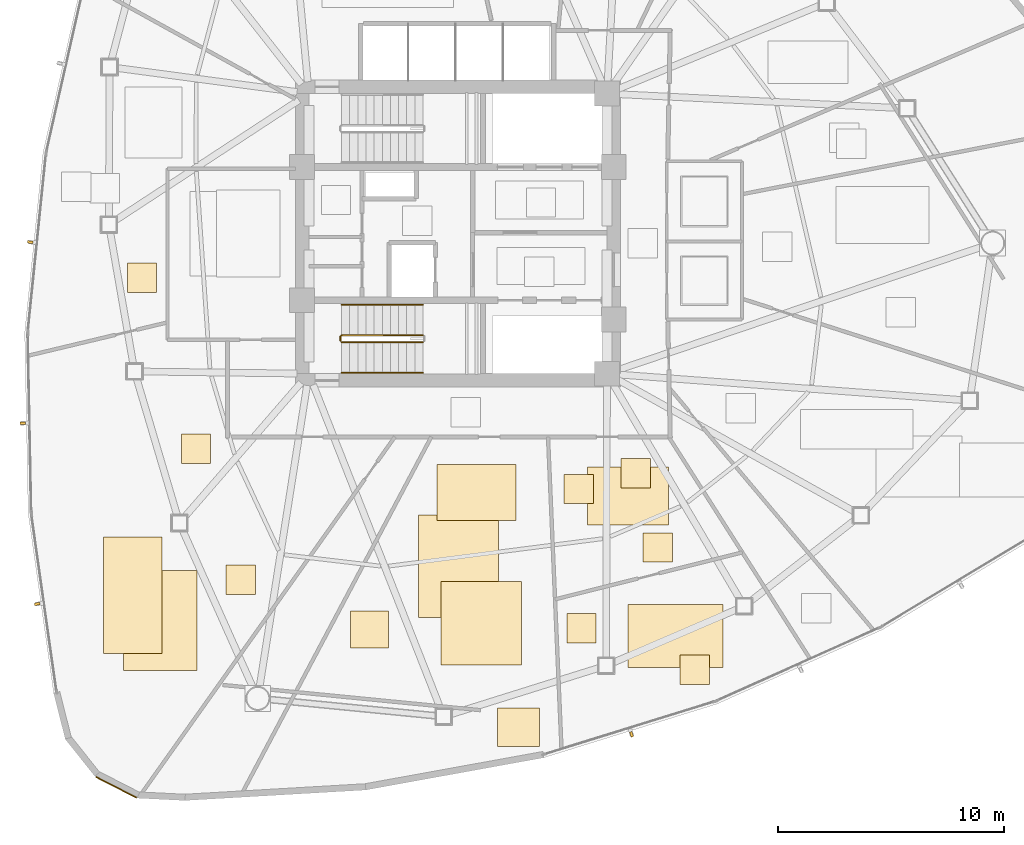
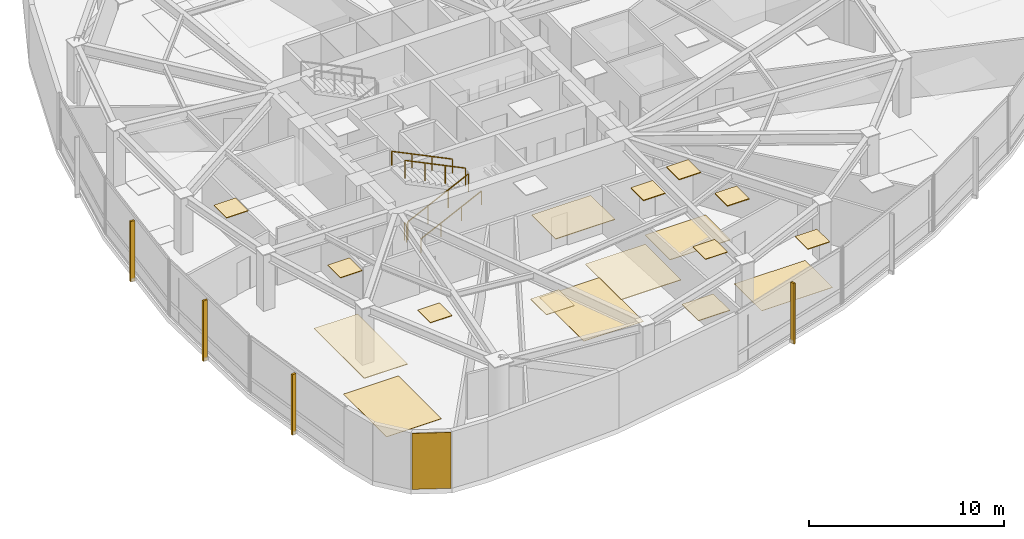
# One storey, part 14 of 17: 18 coverings, 5 railings, 4 shading devices.
"""IFC4 building model written with IfcOpenShell, lengths in metres."""

from ifc_helpers import new_model, si_unit, direction, frame, origin, origin_2d, place, context, subcontext, project, spatial, polyline, rectangle, outline, extrude, source, transform, mapped, material, layer, layer_set, type_object, type_shapes, element, save


model = new_model("IFC4")

# Units and contexts
model_context = context("Model", 3, precision=1e-05, world=origin(), true_north=direction((0.0, 1.0)))
body_context = subcontext(model_context, "Body", "Model", "MODEL_VIEW")
ifc_project = project(units=[si_unit("LENGTHUNIT", "METRE"), si_unit("AREAUNIT", "SQUARE_METRE"), si_unit("VOLUMEUNIT", "CUBIC_METRE"), si_unit("PLANEANGLEUNIT", "RADIAN"), si_unit("MASSUNIT", "GRAM", prefix="KILO")], contexts=[model_context])

# Site, building, storey
site_placement = place(None, origin())
site = spatial("IfcSite", under=ifc_project, at=site_placement, CompositionType="ELEMENT")
building_placement = place(site_placement, origin())
building = spatial("IfcBuilding", under=site, at=building_placement, Name="Tavelor Broadcast Tower", CompositionType="ELEMENT")
storey_placement = place(building_placement, frame((0.0, 0.0, 119.449951171875)))
storey = spatial("IfcBuildingStorey", under=building, at=storey_placement, Name="L27", CompositionType="ELEMENT", Elevation=119.449951171875)

# Covering
ifc_material_1 = material(Name="Copper-Bronze Anodized Aluminium", Category="aluminium")
ifc_layer_1 = layer(ifc_material_1, 0.050048828125)
ifc_layer_set_1 = layer_set([ifc_layer_1], Name="Copper-Bronze Anodized Aluminium")
covering_type_1 = type_object("IfcCoveringType", Name="Champagne-Bronze Corner Pier Metal Cladding 50 mm", PredefinedType="CLADDING", material=ifc_layer_set_1)
covering_1_placement = place(storey_placement, frame((34.866943359375, 20.486572265625, 0.02001953125), z_axis=(0.0, 0.0, 1.0), x_axis=(0.889814927768, -0.4563215909, 0.0)))
element("IfcCovering", 1, at=covering_1_placement, inside=storey, type_object=covering_type_1, Name="L27 Champagne-Bronze Corner Cladding 13", PredefinedType="CLADDING", context=body_context, shape_type="SweptSolid", body=[
    extrude(rectangle(XDim=2.00732421875, YDim=0.050048828125, at=origin_2d()), origin(), (0.0, 0.0, 1.0), 3.510009765625),
])

# Railings
ifc_material_2 = material(Name="Steel S355", Category="steel")
railing_type_1 = type_object("IfcRailingType", Name="Continuous Brushed Stainless Handrail 900 mm", PredefinedType="HANDRAIL", material=ifc_material_2)
railing_1_placement = place(storey_placement, frame((44.85009765625, 38.85009765625, 0.175048828125)))
element("IfcRailing", 2, at=railing_1_placement, inside=storey, type_object=railing_type_1, Name="L27 ST2 stair handrail 1", PredefinedType="HANDRAIL", context=body_context, shape_type="SweptSolid", body=[
    extrude(rectangle(XDim=0.048095703125, YDim=0.048095703125, at=origin_2d()), frame((0.0, 0.0, 0.8759765625), z_axis=(0.899360859046, 0.0, 0.437207096483), x_axis=(0.0, 1.0, 0.0)), (0.0, 0.0, 1.0), 4.002685546875),
    extrude(rectangle(XDim=0.0419921875, YDim=0.0419921875, at=origin_2d()), origin(), (0.0, 0.0, 1.0), 0.851806640625),
    extrude(rectangle(XDim=0.0419921875, YDim=0.0419921875, at=origin_2d()), frame((1.199951171875, 0.0, 0.583251953125)), (0.0, 0.0, 1.0), 0.851806640625),
    extrude(rectangle(XDim=0.0419921875, YDim=0.0419921875, at=origin_2d()), frame((2.39990234375, 0.0, 1.166748046875)), (0.0, 0.0, 1.0), 0.851806640625),
    extrude(rectangle(XDim=0.0419921875, YDim=0.0419921875, at=origin_2d()), frame((3.599853515625, 0.0, 1.75)), (0.0, 0.0, 1.0), 0.851806640625),
])
railing_2_placement = place(storey_placement, frame((48.449951171875, 41.85009765625, 2.10009765625)))
element("IfcRailing", 3, at=railing_2_placement, inside=storey, type_object=railing_type_1, Name="L27 ST2 stair handrail 2", PredefinedType="HANDRAIL", context=body_context, shape_type="SweptSolid", body=[
    extrude(rectangle(XDim=0.048095703125, YDim=0.048095703125, at=origin_2d()), frame((0.0, 0.0, 0.8759765625), z_axis=(-0.899360859046, 0.0, 0.437207096483), x_axis=(0.0, -1.0, 0.0)), (0.0, 0.0, 1.0), 4.002685546875),
    extrude(rectangle(XDim=0.0419921875, YDim=0.0419921875, at=origin_2d()), origin(), (0.0, 0.0, 1.0), 0.851806640625),
    extrude(rectangle(XDim=0.0419921875, YDim=0.0419921875, at=origin_2d()), frame((-1.199951171875, 0.0, 0.583251953125)), (0.0, 0.0, 1.0), 0.851806640625),
    extrude(rectangle(XDim=0.0419921875, YDim=0.0419921875, at=origin_2d()), frame((-2.39990234375, 0.0, 1.166748046875)), (0.0, 0.0, 1.0), 0.851806640625),
    extrude(rectangle(XDim=0.0419921875, YDim=0.0419921875, at=origin_2d()), frame((-3.599853515625, 0.0, 1.75)), (0.0, 0.0, 1.0), 0.851806640625),
])

# Coverings
ifc_material_3 = material(Name="Acoustic Nylon Carpet Tile")
ifc_layer_2 = layer(ifc_material_3, 0.02001953125)
ifc_layer_set_2 = layer_set([ifc_layer_2], Name="Acoustic Nylon Carpet Tile")
covering_type_2 = type_object("IfcCoveringType", Name="Heavy-Duty Acoustic Broadcast Carpet Tile 20 mm", PredefinedType="FLOORING", material=ifc_layer_set_2)
covering_2_placement = place(storey_placement, origin())
element("IfcCovering", 4, at=covering_2_placement, inside=storey, type_object=covering_type_2, Name="L27 Broadcast Floor Finish 0373", PredefinedType="FLOORING", context=body_context, shape_type="SweptSolid", body=[
    extrude(outline(polyline([(57.528564453125, 25.786865234375), (61.72998046875, 25.786865234375), (61.72998046875, 28.589111328125), (57.528564453125, 28.589111328125), (57.528564453125, 25.786865234375)])), origin(), (0.0, 0.0, 1.0), 0.02001953125),
])
covering_3_placement = place(storey_placement, origin())
element("IfcCovering", 5, at=covering_3_placement, inside=storey, type_object=covering_type_2, Name="L27 Broadcast Floor Finish 0374", PredefinedType="FLOORING", context=body_context, shape_type="SweptSolid", body=[
    extrude(outline(polyline([(48.252685546875, 28.010009765625), (51.806396484375, 28.010009765625), (51.806396484375, 32.543212890625), (48.252685546875, 32.543212890625), (48.252685546875, 28.010009765625)])), origin(), (0.0, 0.0, 1.0), 0.02001953125),
])
covering_4_placement = place(storey_placement, origin())
element("IfcCovering", 6, at=covering_4_placement, inside=storey, type_object=covering_type_2, Name="L27 Broadcast Floor Finish 0375", PredefinedType="FLOORING", context=body_context, shape_type="SweptSolid", body=[
    extrude(outline(polyline([(35.19189453125, 25.653076171875), (38.45361328125, 25.653076171875), (38.45361328125, 30.081298828125), (35.19189453125, 30.081298828125), (35.19189453125, 25.653076171875)])), origin(), (0.0, 0.0, 1.0), 0.02001953125),
])
ifc_material_4 = material(Name="Acoustic Hardwood Studio Flooring", Category="wood")
ifc_layer_3 = layer(ifc_material_4, 0.034912109375)
ifc_layer_set_3 = layer_set([ifc_layer_3], Name="Acoustic Hardwood Studio Flooring")
covering_type_3 = type_object("IfcCoveringType", Name="Isolated Studio Acoustic Elastomeric Floor Finish 35 mm", PredefinedType="FLOORING", material=ifc_layer_set_3)
covering_5_placement = place(storey_placement, origin())
element("IfcCovering", 7, at=covering_5_placement, inside=storey, type_object=covering_type_3, Name="L27 Broadcast Floor Finish 0382", PredefinedType="FLOORING", context=body_context, shape_type="SweptSolid", body=[
    extrude(outline(polyline([(55.7294921875, 32.09619140625), (59.316650390625, 32.09619140625), (59.316650390625, 34.664306640625), (55.7294921875, 34.664306640625), (55.7294921875, 32.09619140625)])), origin(), (0.0, 0.0, 1.0), 0.03515625),
])
ifc_material_5 = material(Name="Acoustic Perforated Timber Baffle", Category="wood")
ifc_layer_4 = layer(ifc_material_5, 0.054931640625)
ifc_layer_set_4 = layer_set([ifc_layer_4], Name="Acoustic Perforated Timber Baffle")
covering_type_4 = type_object("IfcCoveringType", Name="Micro-Perforated Acoustic Baffle Studio Ceiling 55 mm", PredefinedType="CEILING", material=ifc_layer_set_4)
covering_6_placement = place(storey_placement, frame((0.0, 0.0, 3.4951171875)))
element("IfcCovering", 8, at=covering_6_placement, inside=storey, type_object=covering_type_4, Name="L27 Suspended Acoustic Ceiling 1089", PredefinedType="CEILING", context=body_context, shape_type="SweptSolid", body=[
    extrude(outline(polyline([(54.7001953125, 33.04443359375), (56.000244140625, 33.04443359375), (56.000244140625, 34.344482421875), (54.7001953125, 34.344482421875), (54.7001953125, 33.04443359375)])), origin(), (0.0, 0.0, 1.0), 0.054931640625),
])
covering_7_placement = place(storey_placement, frame((0.0, 0.0, 3.4951171875)))
element("IfcCovering", 9, at=covering_7_placement, inside=storey, type_object=covering_type_4, Name="L27 Suspended Acoustic Ceiling 1090", PredefinedType="CEILING", context=body_context, shape_type="SweptSolid", body=[
    extrude(outline(polyline([(57.224609375, 33.74560546875), (58.5244140625, 33.74560546875), (58.5244140625, 35.045654296875), (57.224609375, 35.045654296875), (57.224609375, 33.74560546875)])), origin(), (0.0, 0.0, 1.0), 0.054931640625),
])
covering_8_placement = place(storey_placement, frame((0.0, 0.0, 3.4951171875)))
element("IfcCovering", 10, at=covering_8_placement, inside=storey, type_object=covering_type_4, Name="L27 Suspended Acoustic Ceiling 1091", PredefinedType="CEILING", context=body_context, shape_type="SweptSolid", body=[
    extrude(outline(polyline([(58.189697265625, 30.453857421875), (59.489501953125, 30.453857421875), (59.489501953125, 31.75390625), (58.189697265625, 31.75390625), (58.189697265625, 30.453857421875)])), origin(), (0.0, 0.0, 1.0), 0.054931640625),
])

# Railings
railing_type_2 = type_object("IfcRailingType", Name="Stairwell Steel Safety Guardrail 1150 mm", PredefinedType="GUARDRAIL", material=ifc_material_2)
railing_3_placement = place(storey_placement, frame((44.85009765625, 40.199951171875, 0.175048828125)))
element("IfcRailing", 11, at=railing_3_placement, inside=storey, type_object=railing_type_2, Name="L27 ST2 stair guard 1", PredefinedType="GUARDRAIL", context=body_context, shape_type="SweptSolid", body=[
    extrude(rectangle(XDim=0.048095703125, YDim=0.048095703125, at=origin_2d()), frame((0.0, 0.0, 1.1259765625), z_axis=(0.899360859046, 0.0, 0.437207096483), x_axis=(0.0, 1.0, 0.0)), (0.0, 0.0, 1.0), 4.002685546875),
    extrude(rectangle(XDim=0.0419921875, YDim=0.0419921875, at=origin_2d()), origin(), (0.0, 0.0, 1.0), 1.101806640625),
    extrude(rectangle(XDim=0.0419921875, YDim=0.0419921875, at=origin_2d()), frame((1.199951171875, 0.0, 0.583251953125)), (0.0, 0.0, 1.0), 1.101806640625),
    extrude(rectangle(XDim=0.0419921875, YDim=0.0419921875, at=origin_2d()), frame((2.39990234375, 0.0, 1.166748046875)), (0.0, 0.0, 1.0), 1.101806640625),
    extrude(rectangle(XDim=0.0419921875, YDim=0.0419921875, at=origin_2d()), frame((3.599853515625, 0.0, 1.75)), (0.0, 0.0, 1.0), 1.101806640625),
])
railing_4_placement = place(storey_placement, frame((48.449951171875, 40.5, 2.10009765625)))
element("IfcRailing", 12, at=railing_4_placement, inside=storey, type_object=railing_type_2, Name="L27 ST2 stair guard 3", PredefinedType="GUARDRAIL", context=body_context, shape_type="SweptSolid", body=[
    extrude(rectangle(XDim=0.048095703125, YDim=0.048095703125, at=origin_2d()), frame((0.0, 0.0, 1.1259765625), z_axis=(-0.899360859046, 0.0, 0.437207096483), x_axis=(0.0, -1.0, 0.0)), (0.0, 0.0, 1.0), 4.002685546875),
    extrude(rectangle(XDim=0.0419921875, YDim=0.0419921875, at=origin_2d()), origin(), (0.0, 0.0, 1.0), 1.101806640625),
    extrude(rectangle(XDim=0.0419921875, YDim=0.0419921875, at=origin_2d()), frame((-1.199951171875, 0.0, 0.583251953125)), (0.0, 0.0, 1.0), 1.101806640625),
    extrude(rectangle(XDim=0.0419921875, YDim=0.0419921875, at=origin_2d()), frame((-2.39990234375, 0.0, 1.166748046875)), (0.0, 0.0, 1.0), 1.101806640625),
    extrude(rectangle(XDim=0.0419921875, YDim=0.0419921875, at=origin_2d()), frame((-3.599853515625, 0.0, 1.75)), (0.0, 0.0, 1.0), 1.101806640625),
])
railing_5_placement = place(storey_placement, frame((44.800048828125, 40.25, 0.0)))
element("IfcRailing", 13, at=railing_5_placement, inside=storey, type_object=railing_type_2, Name="L27 ST2 stair guard 4", PredefinedType="GUARDRAIL", context=body_context, shape_type="SweptSolid", body=[
    extrude(rectangle(XDim=0.048095703125, YDim=0.048095703125, at=origin_2d()), frame((0.0, 0.0, 1.1259765625), z_axis=(0.0, 1.0, 0.0), x_axis=(-1.0, 0.0, 0.0)), (0.0, 0.0, 1.0), 0.199951171875),
    extrude(rectangle(XDim=0.0419921875, YDim=0.0419921875, at=origin_2d()), origin(), (0.0, 0.0, 1.0), 1.101806640625),
    extrude(rectangle(XDim=0.0419921875, YDim=0.0419921875, at=origin_2d()), frame((0.0, 0.199951171875, 0.0)), (0.0, 0.0, 1.0), 1.101806640625),
])

# Coverings
ifc_material_6 = material(Name="Acoustic Mineral Fibre Tile")
ifc_layer_5 = layer(ifc_material_6, 0.0400390625)
ifc_layer_set_5 = layer_set([ifc_layer_5], Name="Acoustic Mineral Fibre Tile")
covering_type_5 = type_object("IfcCoveringType", Name="Suspended Acoustic Mineral-Fibre Office Ceiling 40 mm", PredefinedType="CEILING", material=ifc_layer_set_5)
covering_9_placement = place(storey_placement, frame((0.0, 0.0, 3.510009765625)))
element("IfcCovering", 14, at=covering_9_placement, inside=storey, type_object=covering_type_5, Name="L27 Suspended Acoustic Ceiling 1061", PredefinedType="CEILING", context=body_context, shape_type="SweptSolid", body=[
    extrude(outline(polyline([(59.83154296875, 25.038330078125), (61.131591796875, 25.038330078125), (61.131591796875, 26.33837890625), (59.83154296875, 26.33837890625), (59.83154296875, 25.038330078125)])), origin(), (0.0, 0.0, 1.0), 0.0400390625),
])
covering_10_placement = place(storey_placement, frame((0.0, 0.0, 3.510009765625)))
element("IfcCovering", 15, at=covering_10_placement, inside=storey, type_object=covering_type_5, Name="L27 Suspended Acoustic Ceiling 1062", PredefinedType="CEILING", context=body_context, shape_type="SweptSolid", body=[
    extrude(outline(polyline([(54.82421875, 26.876220703125), (56.124267578125, 26.876220703125), (56.124267578125, 28.176025390625), (54.82421875, 28.176025390625), (54.82421875, 26.876220703125)])), origin(), (0.0, 0.0, 1.0), 0.0400390625),
])
covering_11_placement = place(storey_placement, frame((0.0, 0.0, 3.510009765625)))
element("IfcCovering", 16, at=covering_11_placement, inside=storey, type_object=covering_type_5, Name="L27 Suspended Acoustic Ceiling 1063", PredefinedType="CEILING", context=body_context, shape_type="SweptSolid", body=[
    extrude(outline(polyline([(49.260986328125, 25.912353515625), (52.815185546875, 25.912353515625), (52.815185546875, 29.590576171875), (49.260986328125, 29.590576171875), (49.260986328125, 25.912353515625)])), origin(), (0.0, 0.0, 1.0), 0.0400390625),
])
covering_12_placement = place(storey_placement, frame((0.0, 0.0, 3.510009765625)))
element("IfcCovering", 17, at=covering_12_placement, inside=storey, type_object=covering_type_5, Name="L27 Suspended Acoustic Ceiling 1064", PredefinedType="CEILING", context=body_context, shape_type="SweptSolid", body=[
    extrude(outline(polyline([(45.253662109375, 26.6552734375), (46.93310546875, 26.6552734375), (46.93310546875, 28.291259765625), (45.253662109375, 28.291259765625), (45.253662109375, 26.6552734375)])), origin(), (0.0, 0.0, 1.0), 0.0400390625),
])
covering_13_placement = place(storey_placement, frame((0.0, 0.0, 3.510009765625)))
element("IfcCovering", 18, at=covering_13_placement, inside=storey, type_object=covering_type_5, Name="L27 Suspended Acoustic Ceiling 1065", PredefinedType="CEILING", context=body_context, shape_type="SweptSolid", body=[
    extrude(outline(polyline([(49.0654296875, 32.30029296875), (52.574951171875, 32.30029296875), (52.574951171875, 34.779052734375), (49.0654296875, 34.779052734375), (49.0654296875, 32.30029296875)])), origin(), (0.0, 0.0, 1.0), 0.0400390625),
])
covering_14_placement = place(storey_placement, frame((0.0, 0.0, 3.510009765625)))
element("IfcCovering", 19, at=covering_14_placement, inside=storey, type_object=covering_type_5, Name="L27 Suspended Acoustic Ceiling 1066", PredefinedType="CEILING", context=body_context, shape_type="SweptSolid", body=[
    extrude(outline(polyline([(51.76220703125, 22.288818359375), (53.614990234375, 22.288818359375), (53.614990234375, 23.989013671875), (51.76220703125, 23.989013671875), (51.76220703125, 22.288818359375)])), origin(), (0.0, 0.0, 1.0), 0.0400390625),
])
covering_15_placement = place(storey_placement, frame((0.0, 0.0, 3.510009765625)))
element("IfcCovering", 20, at=covering_15_placement, inside=storey, type_object=covering_type_5, Name="L27 Suspended Acoustic Ceiling 1067", PredefinedType="CEILING", context=body_context, shape_type="SweptSolid", body=[
    extrude(outline(polyline([(34.310302734375, 26.406982421875), (36.88671875, 26.406982421875), (36.88671875, 31.569580078125), (34.310302734375, 31.569580078125), (34.310302734375, 26.406982421875)])), origin(), (0.0, 0.0, 1.0), 0.0400390625),
])
covering_16_placement = place(storey_placement, frame((0.0, 0.0, 3.510009765625)))
element("IfcCovering", 21, at=covering_16_placement, inside=storey, type_object=covering_type_5, Name="L27 Suspended Acoustic Ceiling 1068", PredefinedType="CEILING", context=body_context, shape_type="SweptSolid", body=[
    extrude(outline(polyline([(37.751220703125, 34.8251953125), (39.051025390625, 34.8251953125), (39.051025390625, 36.125244140625), (37.751220703125, 36.125244140625), (37.751220703125, 34.8251953125)])), origin(), (0.0, 0.0, 1.0), 0.0400390625),
])
covering_17_placement = place(storey_placement, frame((0.0, 0.0, 3.510009765625)))
element("IfcCovering", 22, at=covering_17_placement, inside=storey, type_object=covering_type_5, Name="L27 Suspended Acoustic Ceiling 1069", PredefinedType="CEILING", context=body_context, shape_type="SweptSolid", body=[
    extrude(outline(polyline([(39.73681640625, 29.0263671875), (41.036865234375, 29.0263671875), (41.036865234375, 30.326416015625), (39.73681640625, 30.326416015625), (39.73681640625, 29.0263671875)])), origin(), (0.0, 0.0, 1.0), 0.0400390625),
])
covering_18_placement = place(storey_placement, frame((0.0, 0.0, 3.510009765625)))
element("IfcCovering", 23, at=covering_18_placement, inside=storey, type_object=covering_type_5, Name="L27 Suspended Acoustic Ceiling 1072", PredefinedType="CEILING", context=body_context, shape_type="SweptSolid", body=[
    extrude(outline(polyline([(35.364013671875, 42.396484375), (36.6640625, 42.396484375), (36.6640625, 43.696533203125), (35.364013671875, 43.696533203125), (35.364013671875, 42.396484375)])), origin(), (0.0, 0.0, 1.0), 0.0400390625),
])

# Shading devices
ifc_material_7 = material(Name="Kiln-Fired Glazed Terracotta", Category="masonry")
shading_device_type = type_object("IfcShadingDeviceType", Name="Extruded Terracotta Baguette Sun-Screen 110x240", PredefinedType="JALOUSIE", material=ifc_material_7)
shared_shape = source(origin(), body_context, "Body", "SweptSolid", [
    extrude(rectangle(XDim=0.110107421875, YDim=0.239990234375, at=origin_2d()), origin(), (0.0, 0.0, 1.0), 3.7900390625),
])
type_shapes(shading_device_type, [shared_shape])
for number, where, z_axis, x_axis, name in (
    (24, (31.060791015625, 44.62451171875, -0.260009765625), (0.0, 0.0, 1.0), (-0.1014035699, -0.994845372916, 0.0), "L27 Terracotta Baguette Fin 254"),
    (25, (30.731689453125, 36.605712890625, -0.260009765625), (0.0, 0.0, 1.0), (0.019720942027, -0.999805523312, 0.0), "L27 Terracotta Baguette Fin 255"),
    (26, (31.37548828125, 28.60595703125, -0.260009765625), (0.0, 0.0, 1.0), (0.14055563991, -0.990072781208, 0.0), "L27 Terracotta Baguette Fin 256"),
    (27, (57.68701171875, 22.831298828125, -0.260009765625), (0.0, 0.0, 1.0), (0.955175082344, 0.296041487076, 0.0), "L27 Terracotta Baguette Fin 257"),
):
    element("IfcShadingDevice", number, at=place(storey_placement, frame(where, z_axis=z_axis, x_axis=x_axis)), inside=storey, type_object=shading_device_type, Name=name, PredefinedType="JALOUSIE", context=body_context, shape_type="MappedRepresentation", body=[
        mapped(shared_shape, transform((0.0, 0.0, 0.0), scale=1.0)),
    ])

save(model, "model.ifc")
